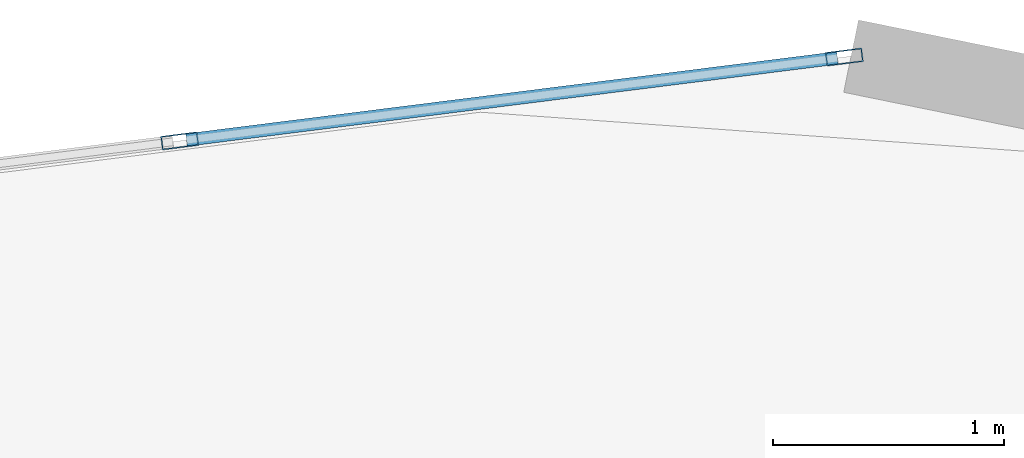
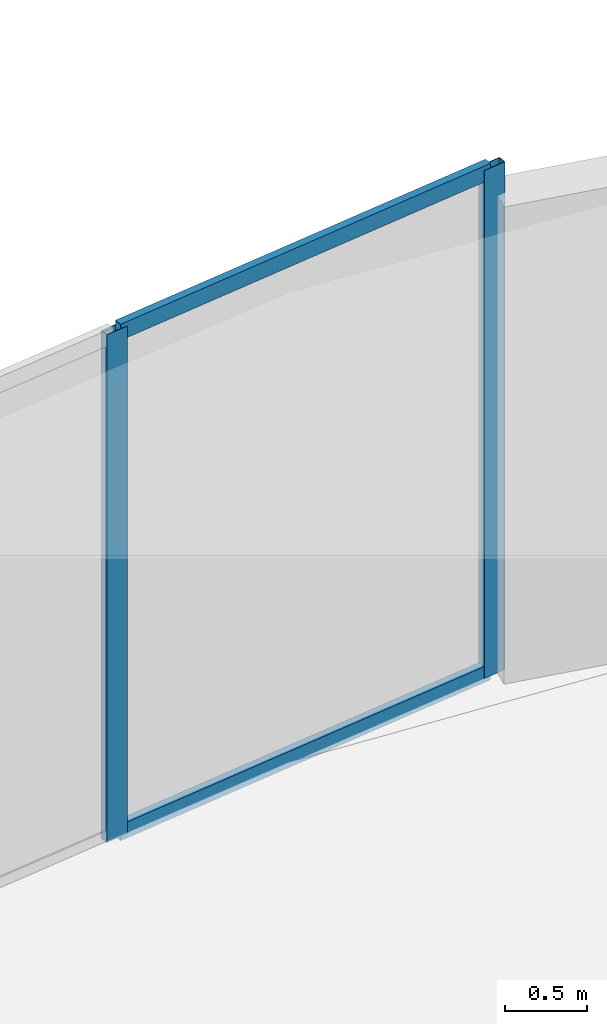
# One storey, part 15 of 23: 4 members, 1 element without a shape of its own.
"""IFC4 building model written with IfcOpenShell, lengths in metres."""

from ifc_helpers import new_model, si_unit, direction, frame, origin, origin_2d, place, context, subcontext, project, spatial, hollow_rectangle, extrude, source, transform, mapped, material, layer, layer_set, material_profile, profile_set, type_object, element, aggregate, save


model = new_model("IFC4")

# Units and contexts
model_context = context("Model", 3, precision=1e-05, world=origin(), true_north=direction((0.0, 1.0)))
body_context = subcontext(model_context, "Body", "Model", "MODEL_VIEW")
ifc_project = project(units=[si_unit("LENGTHUNIT", "METRE"), si_unit("AREAUNIT", "SQUARE_METRE"), si_unit("VOLUMEUNIT", "CUBIC_METRE"), si_unit("PLANEANGLEUNIT", "RADIAN"), si_unit("MASSUNIT", "GRAM", prefix="KILO")], contexts=[model_context])

# Site, building, storey
site_placement = place(None, origin())
site = spatial("IfcSite", under=ifc_project, at=site_placement, CompositionType="ELEMENT")
building_placement = place(site_placement, origin())
building = spatial("IfcBuilding", under=site, at=building_placement, Name="Solvirekh Grand Hotel", CompositionType="ELEMENT")
storey_placement = place(building_placement, frame((0.0, 0.0, 285.800048828125)))
storey = spatial("IfcBuildingStorey", under=building, at=storey_placement, Name="L74", CompositionType="ELEMENT", Elevation=285.800048828125)

# Curtain wall, members
ifc_material = material(Name="Anodized Bronze Aluminium 6063-T6", Category="aluminium")
ifc_layer = layer(ifc_material, 0.159912109375)
ifc_layer_set = layer_set([ifc_layer], Name="Anodized Bronze Aluminium 6063-T6")
curtain_wall_type = type_object("IfcCurtainWallType", Name="CW_Sys4_HighZoneFlushBronzeCW", PredefinedType="NOTDEFINED", material=ifc_layer_set)
curtain_wall_placement = place(storey_placement, origin())
curtain_wall = element("IfcCurtainWall", 1, at=curtain_wall_placement, inside=storey, type_object=curtain_wall_type, Name="L74 unitised bronze-glass curtain wall CW-L74-C11", PredefinedType="NOTDEFINED")
ifc_material_profile_1 = material_profile(ifc_material, hollow_rectangle(XDim=0.06005859375, YDim=0.159912109375, WallThickness=0.0048828125, at=origin_2d()), Name="ALU RHS 160X60X5")
ifc_profile_set_1 = profile_set([ifc_material_profile_1], Name="Anodized Bronze Aluminium 6063-T6")
member_type_1 = type_object("IfcMemberType", Name="CWMullion_Sys4", PredefinedType="MULLION", material=ifc_profile_set_1)
shared_shape_1 = source(origin(), body_context, "Body", "SweptSolid", [
    extrude(hollow_rectangle(XDim=0.06005859375, YDim=0.159912109375, WallThickness=0.0048828125, at=origin_2d()), origin(), (0.0, 0.0, 1.0), 3.800048828125),
])
member_1_placement = place(storey_placement, frame((-0.44482421875, 19.482177734375, 0.0), z_axis=(0.0, 0.0, 1.0), x_axis=(0.125166457357, -0.992135755808, 0.0)))
member_1 = element("IfcMember", 2, at=member_1_placement, type_object=member_type_1, Name="U04 mullion 1", PredefinedType="MULLION", context=body_context, shape_type="MappedRepresentation", body=[
    mapped(shared_shape_1, transform((0.0, 0.0, 0.0), x_axis=(1.0, 0.0, 0.0), y_axis=(0.0, 1.0, 0.0), z_axis=(0.0, 0.0, 1.0), scale=1.0)),
])
member_2_placement = place(storey_placement, frame((-3.327880859375, 19.118408203125, 0.0), z_axis=(0.0, 0.0, 1.0), x_axis=(0.125166457357, -0.992135755808, 0.0)))
member_2 = element("IfcMember", 3, at=member_2_placement, type_object=member_type_1, Name="U04 mullion 2", PredefinedType="MULLION", context=body_context, shape_type="MappedRepresentation", body=[
    mapped(shared_shape_1, transform((0.0, 0.0, 0.0), x_axis=(1.0, 0.0, 0.0), y_axis=(0.0, 1.0, 0.0), z_axis=(0.0, 0.0, 1.0), scale=1.0)),
])
ifc_material_profile_2 = material_profile(ifc_material, hollow_rectangle(XDim=0.054931640625, YDim=0.1201171875, WallThickness=0.00390625, at=origin_2d()), Name="ALU RHS 120X55X4")
ifc_profile_set_2 = profile_set([ifc_material_profile_2], Name="Anodized Bronze Aluminium 6063-T6")
member_type_2 = type_object("IfcMemberType", Name="CWTransom_Sys4", PredefinedType="USERDEFINED", material=ifc_profile_set_2)
shared_shape_2 = source(origin(), body_context, "Body", "SweptSolid", [
    extrude(hollow_rectangle(XDim=0.054931640625, YDim=0.1201171875, WallThickness=0.00390625, at=origin_2d()), origin(), (0.0, 0.0, 1.0), 2.84619140625),
])
member_3_placement = place(storey_placement, frame((-0.474609375, 19.478515625, 0.02734375), z_axis=(-0.992137357428, -0.125153761412, 0.0), x_axis=(0.125153761412, -0.992137357428, 0.0)))
member_3 = element("IfcMember", 4, at=member_3_placement, type_object=member_type_2, Name="U04 transom 1.1", ObjectType="TRANSOM", PredefinedType="USERDEFINED", context=body_context, shape_type="MappedRepresentation", body=[
    mapped(shared_shape_2, transform((0.0, 0.0, 0.0), x_axis=(1.0, 0.0, 0.0), y_axis=(0.0, 1.0, 0.0), z_axis=(0.0, 0.0, 1.0), scale=1.0)),
])
member_4_placement = place(storey_placement, frame((-0.474609375, 19.478515625, 3.7724609375), z_axis=(-0.992137357428, -0.125153761412, 0.0), x_axis=(0.125153761412, -0.992137357428, 0.0)))
member_4 = element("IfcMember", 5, at=member_4_placement, type_object=member_type_2, Name="U04 transom 1.2", ObjectType="TRANSOM", PredefinedType="USERDEFINED", context=body_context, shape_type="MappedRepresentation", body=[
    mapped(shared_shape_2, transform((0.0, 0.0, 0.0), x_axis=(1.0, 0.0, 0.0), y_axis=(0.0, 1.0, 0.0), z_axis=(0.0, 0.0, 1.0), scale=1.0)),
])
aggregate(curtain_wall, [member_1, member_2, member_3, member_4])

save(model, "model.ifc")
